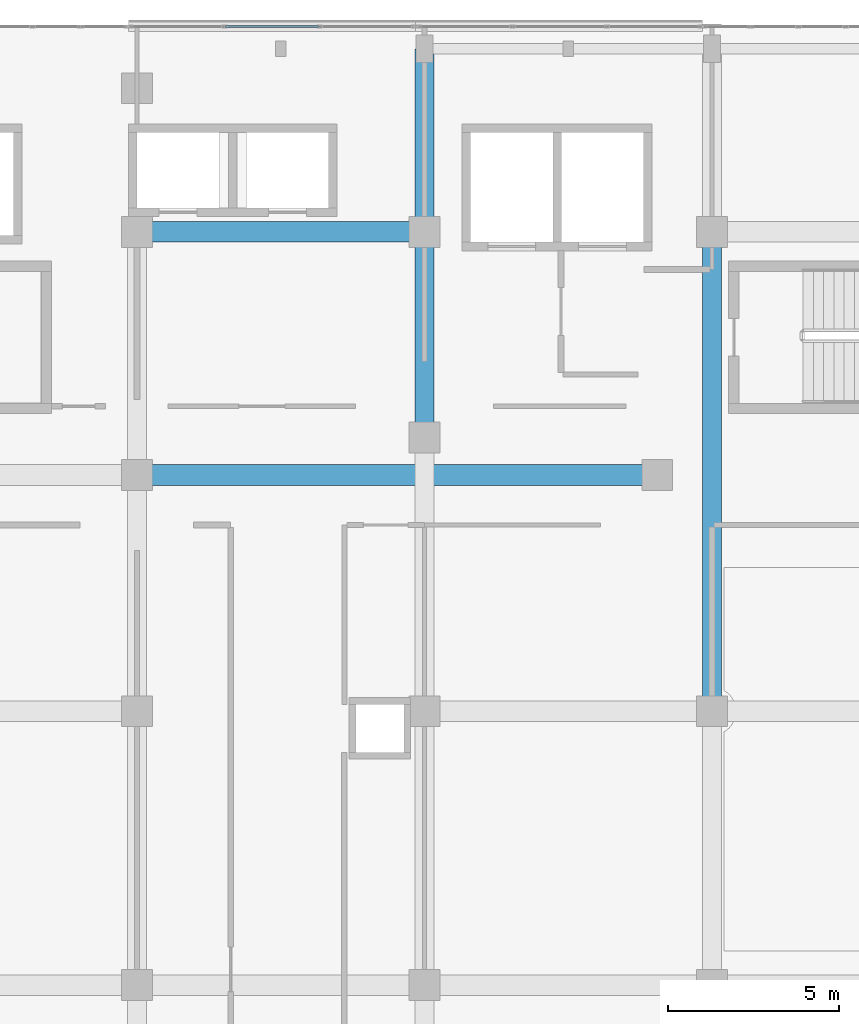
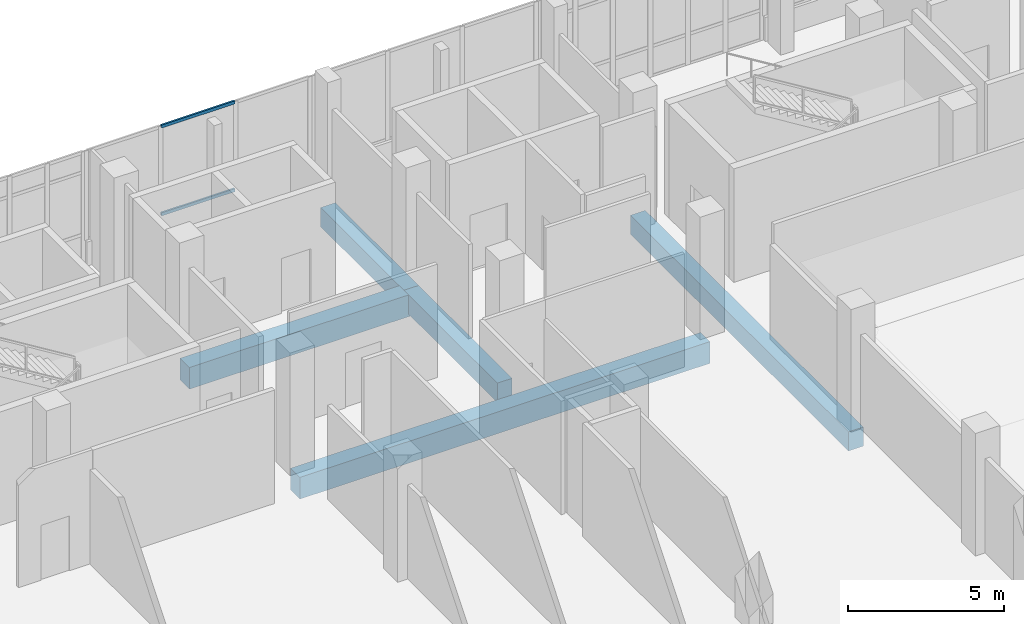
# One storey, part 98 of 168: 5 beams, 2 members, 1 element without a shape of its own.
"""IFC4 building model written with IfcOpenShell, lengths in metres."""

import ifcopenshell
import ifcopenshell.guid

model = None  # the IFC model being written
_history = None  # IfcOwnerHistory: only IFC2X3 demands one
_inside = {}  # id of a spatial element -> (the spatial element, [elements in it])
_under = {}  # id of a project, library or spatial element -> (it, [spatial elements below it])
_declared = {}  # id of a project -> (the project, [libraries it declares])
_typed = {}  # id of a type object -> (the type object, [elements of that type])
_made_of = {}  # id of a material, layer set ... -> (it, [elements and type objects made of it])


def new_model(schema):
    """Start an empty IFC model of exactly this schema.

    Asked for "IFC4X3", IfcOpenShell would pick the latest addendum, in which some entities
    have other attributes; the version numbers below select the first issue.
    IFC2X3 requires an IfcOwnerHistory on every rooted entity: one is made here for all.
    """
    global model, _history
    if schema == "IFC4X3":
        model = ifcopenshell.file(schema_version=(4, 3, 0, 0))
    else:
        model = ifcopenshell.file(schema=schema)
    _inside.clear()
    _under.clear()
    _declared.clear()
    _typed.clear()
    _made_of.clear()
    _history = None
    if model.schema == "IFC2X3":
        org = make("IfcOrganization", Name="unknown")
        user = make(
            "IfcPersonAndOrganization",
            ThePerson=make("IfcPerson", FamilyName="unknown"),
            TheOrganization=org,
        )
        app = make(
            "IfcApplication",
            ApplicationDeveloper=org,
            Version="unknown",
            ApplicationFullName="unknown",
            ApplicationIdentifier="unknown",
        )
        _history = make(
            "IfcOwnerHistory",
            OwningUser=user,
            OwningApplication=app,
            ChangeAction="ADDED",
            CreationDate=0,
        )
    return model


def make(cls, **values):
    """One entity of the class cls with the attributes given. An attribute that is None is left unset."""
    return model.create_entity(
        cls, **{name: value for name, value in values.items() if value is not None}
    )


def rooted(cls, **values):
    """An entity with a GlobalId (a new one), such as an element, a storey or a relation."""
    return make(cls, GlobalId=ifcopenshell.guid.new(), OwnerHistory=_history, **values)


def si_unit(unit_type, name, prefix=None):
    """IfcSIUnit, for example si_unit("LENGTHUNIT", "METRE", prefix="MILLI")."""
    return make("IfcSIUnit", UnitType=unit_type, Prefix=prefix, Name=name)


def assignment(units):
    """IfcUnitAssignment: the units of a project."""
    return None if units is None else make("IfcUnitAssignment", Units=units)


def point(xyz):
    """IfcCartesianPoint."""
    return None if xyz is None else make("IfcCartesianPoint", Coordinates=xyz)


def direction(xyz):
    """IfcDirection."""
    return None if xyz is None else make("IfcDirection", DirectionRatios=xyz)


def frame(location, z_axis=None, x_axis=None):
    """IfcAxis2Placement3D, a coordinate frame: its origin and axes. An axis left out is left unset."""
    return make(
        "IfcAxis2Placement3D",
        Location=point(location),
        Axis=direction(z_axis),
        RefDirection=direction(x_axis),
    )


def frame_2d(location, x_axis=None):
    """IfcAxis2Placement2D, a coordinate frame in the plane: its origin and x axis."""
    return make(
        "IfcAxis2Placement2D", Location=point(location), RefDirection=direction(x_axis)
    )


def origin():
    """The frame at (0, 0, 0) with its axes left unset."""
    return frame((0.0, 0.0, 0.0))


def origin_2d():
    """The frame at (0, 0) in the plane with its x axis left unset."""
    return frame_2d((0.0, 0.0))


def place(relative_to, where):
    """IfcLocalPlacement: puts the frame where relative to a parent placement (None: the world)."""
    return make(
        "IfcLocalPlacement", PlacementRelTo=relative_to, RelativePlacement=where
    )


def context(
    kind, dimensions, precision=None, world=None, true_north=None, identifier=None
):
    """IfcGeometricRepresentationContext, for example the 3D "Model" context."""
    return make(
        "IfcGeometricRepresentationContext",
        ContextIdentifier=identifier,
        ContextType=kind,
        CoordinateSpaceDimension=dimensions,
        Precision=precision,
        WorldCoordinateSystem=world,
        TrueNorth=true_north,
    )


def subcontext(parent, identifier, kind, view, scale=None):
    """IfcGeometricRepresentationSubContext, for example "Body" below "Model"."""
    return make(
        "IfcGeometricRepresentationSubContext",
        ContextIdentifier=identifier,
        ContextType=kind,
        ParentContext=parent,
        TargetScale=scale,
        TargetView=view,
    )


def project(units=None, contexts=None):
    """IfcProject with its units and contexts."""
    return rooted(
        "IfcProject",
        Name="project",
        RepresentationContexts=contexts,
        UnitsInContext=assignment(units),
    )


def spatial(cls, under=None, at=None, **own):
    """A site, building, storey or space (cls), placed at a placement, below another one or the project."""
    s = rooted(cls, ObjectPlacement=at, **own)
    if under is not None:
        _under.setdefault(under.id(), (under, []))[1].append(s)
    return s


def profile(cls, at=None, kind="AREA", **sizes):
    """A parametric profile (cls). Its sizes go by their IFC names, for example OverallWidth=200.0."""
    return make(cls, ProfileType=kind, Position=at, **sizes)


def rectangle(**sizes):
    """IfcRectangleProfileDef."""
    return profile("IfcRectangleProfileDef", **sizes)


def hollow_rectangle(**sizes):
    """IfcRectangleHollowProfileDef."""
    return profile("IfcRectangleHollowProfileDef", **sizes)


def extrude(swept, where, along, depth):
    """IfcExtrudedAreaSolid: the profile swept, set in the frame where, extruded along a direction by depth."""
    return make(
        "IfcExtrudedAreaSolid",
        SweptArea=swept,
        Position=where,
        ExtrudedDirection=direction(along),
        Depth=depth,
    )


def shape(context_of_items, identifier, shape_type, items):
    """IfcShapeRepresentation: the items that make up one representation, for example the "Body"."""
    return make(
        "IfcShapeRepresentation",
        ContextOfItems=context_of_items,
        RepresentationIdentifier=identifier,
        RepresentationType=shape_type,
        Items=items,
    )


def material(Name=None, Category=None):
    """IfcMaterial."""
    return make("IfcMaterial", Name=Name, Category=Category)


def material_profile(
    of_material, cross_section, Name=None, Category=None, Priority=None
):
    """IfcMaterialProfile: a cross section and its material."""
    return make(
        "IfcMaterialProfile",
        Name=Name,
        Material=of_material,
        Profile=cross_section,
        Priority=Priority,
        Category=Category,
    )


def profile_set(profiles, Name=None, composite=None):
    """IfcMaterialProfileSet."""
    return make(
        "IfcMaterialProfileSet",
        Name=Name,
        MaterialProfiles=profiles,
        CompositeProfile=composite,
    )


def made_of(thing, what):
    """Note that an element or type object is made of a material, layer set ...; save() writes the relation."""
    if what is not None:
        _made_of.setdefault(what.id(), (what, []))[1].append(thing)
    return thing


def type_object(cls, material=None, **own):
    """A type object (cls), such as IfcWallType, which elements share."""
    return made_of(rooted(cls, **own), material)


def element(
    cls,
    number,
    at=None,
    inside=None,
    cuts=None,
    type_object=None,
    material=None,
    context=None,
    identifier="Body",
    shape_type=None,
    held_by="IfcProductDefinitionShape",
    body=None,
    shapes=None,
    **own,
):
    """One element of the class cls, such as IfcWall. Its Tag is "e" and its number.

    at: its placement. inside: the storey or other place that contains it. cuts: it is an
    opening in that element (IfcRelVoidsElement). A single representation is given by context,
    identifier, shape_type and body (its items); several are given by shapes. held_by: the class
    of the entity that holds the representations. save() writes the other relations.
    """
    e = rooted(cls, Tag="e%d" % number, ObjectPlacement=at, **own)
    if body is not None:
        shapes = [shape(context, identifier, shape_type, body)]
    if shapes is not None:
        e.Representation = make(held_by, Representations=shapes)
    if inside is not None:
        _inside.setdefault(inside.id(), (inside, []))[1].append(e)
    if cuts is not None:
        rooted(
            "IfcRelVoidsElement", RelatingBuildingElement=cuts, RelatedOpeningElement=e
        )
    if type_object is not None:
        _typed.setdefault(type_object.id(), (type_object, []))[1].append(e)
    return made_of(e, material)


def aggregate(whole, parts):
    """IfcRelAggregates: a whole, such as a stair, and the parts it consists of."""
    return rooted("IfcRelAggregates", RelatingObject=whole, RelatedObjects=parts)


def save(model, path):
    """Write the relations noted so far, then the file.

    IfcRelAggregates (storeys below a building ...), IfcRelContainedInSpatialStructure (elements
    in a storey), IfcRelDefinesByType, IfcRelAssociatesMaterial and IfcRelDeclares: one each for
    every whole, place, type object, material and project.
    """
    for whole, parts in _under.values():
        aggregate(whole, parts)
    for where, things in _inside.values():
        rooted(
            "IfcRelContainedInSpatialStructure",
            RelatedElements=things,
            RelatingStructure=where,
        )
    for kind, things in _typed.values():
        rooted("IfcRelDefinesByType", RelatedObjects=things, RelatingType=kind)
    for what, things in _made_of.values():
        rooted("IfcRelAssociatesMaterial", RelatedObjects=things, RelatingMaterial=what)
    for by, libraries in _declared.values():
        rooted("IfcRelDeclares", RelatingContext=by, RelatedDefinitions=libraries)
    model.write(path)


model = new_model("IFC4")

# Units and contexts
model_context = context("Model", 3, precision=1e-05, world=origin(), true_north=direction((0.0, 1.0)))
body_context = subcontext(model_context, "Body", "Model", "MODEL_VIEW")
ifc_project = project(units=[si_unit("LENGTHUNIT", "METRE"), si_unit("AREAUNIT", "SQUARE_METRE"), si_unit("VOLUMEUNIT", "CUBIC_METRE"), si_unit("PLANEANGLEUNIT", "RADIAN"), si_unit("MASSUNIT", "GRAM", prefix="KILO")], contexts=[model_context])

# Site, building, storey
site_placement = place(None, origin())
site = spatial("IfcSite", under=ifc_project, at=site_placement, CompositionType="ELEMENT")
building_placement = place(site_placement, origin())
building = spatial("IfcBuilding", under=site, at=building_placement, Name="Selatvlak General Hospital", CompositionType="ELEMENT")
storey_placement = place(building_placement, frame((0.0, 0.0, 5.39990234375)))
storey = spatial("IfcBuildingStorey", under=building, at=storey_placement, Name="L01", CompositionType="ELEMENT", Elevation=5.39990234375)

# Beams
ifc_material_1 = material(Name="Concrete C40/50", Category="concrete")
ifc_material_profile_1 = material_profile(ifc_material_1, rectangle(XDim=0.60009765625, YDim=0.85009765625, at=origin_2d()), Name="RC-BM 600x850")
ifc_profile_set_1 = profile_set([ifc_material_profile_1], Name="Concrete C40/50")
beam_type_1 = type_object("IfcBeamType", Name="BM-G01", PredefinedType="BEAM", material=ifc_profile_set_1)
beam_1_placement = place(storey_placement, frame((115.199951171875, 106.89990234375, -0.744873046875), z_axis=(1.0, 0.0, 0.0), x_axis=(0.0, 1.0, 0.0)))
element("IfcBeam", 1, at=beam_1_placement, inside=storey, type_object=beam_type_1, Name="Beam BMR-L01-0496", PredefinedType="BEAM", context=body_context, shape_type="SweptSolid", body=[
    extrude(rectangle(XDim=0.60009765625, YDim=0.85009765625, at=origin_2d()), origin(), (0.0, 0.0, 1.0), 15.199951171875),
])
beam_2_placement = place(storey_placement, frame((115.199951171875, 114.0, -0.744873046875), z_axis=(1.0, 0.0, 0.0), x_axis=(0.0, 1.0, 0.0)))
element("IfcBeam", 2, at=beam_2_placement, inside=storey, type_object=beam_type_1, Name="Beam BMR-L01-0518", PredefinedType="BEAM", context=body_context, shape_type="SweptSolid", body=[
    extrude(rectangle(XDim=0.60009765625, YDim=0.85009765625, at=origin_2d()), origin(), (0.0, 0.0, 1.0), 8.400146484375),
])
ifc_material_profile_2 = material_profile(ifc_material_1, rectangle(XDim=0.550048828125, YDim=0.75, at=origin_2d()), Name="RC-BM 550x750")
ifc_profile_set_2 = profile_set([ifc_material_profile_2], Name="Concrete C40/50")
beam_type_2 = type_object("IfcBeamType", Name="BM-G02", PredefinedType="BEAM", material=ifc_profile_set_2)
beam_3_placement = place(storey_placement, frame((123.60009765625, 108.0, -0.69482421875), z_axis=(0.0, 1.0, 0.0), x_axis=(-1.0, 0.0, 0.0)))
element("IfcBeam", 3, at=beam_3_placement, inside=storey, type_object=beam_type_2, Name="Beam BMR-L01-0630", PredefinedType="BEAM", context=body_context, shape_type="SweptSolid", body=[
    extrude(rectangle(XDim=0.550048828125, YDim=0.75, at=origin_2d()), origin(), (0.0, 0.0, 1.0), 6.0),
])
beam_4_placement = place(storey_placement, frame((123.60009765625, 114.0, -0.69482421875), z_axis=(0.0, 1.0, 0.0), x_axis=(-1.0, 0.0, 0.0)))
element("IfcBeam", 4, at=beam_4_placement, inside=storey, type_object=beam_type_2, Name="Beam BMR-L01-0631", PredefinedType="BEAM", context=body_context, shape_type="SweptSolid", body=[
    extrude(rectangle(XDim=0.550048828125, YDim=0.75, at=origin_2d()), origin(), (0.0, 0.0, 1.0), 5.35009765625),
])
beam_5_placement = place(storey_placement, frame((132.0, 100.0, -0.69482421875), z_axis=(0.0, 1.0, 0.0), x_axis=(-1.0, 0.0, 0.0)))
element("IfcBeam", 5, at=beam_5_placement, inside=storey, type_object=beam_type_2, Name="Beam BMR-L01-0638", PredefinedType="BEAM", context=body_context, shape_type="SweptSolid", body=[
    extrude(rectangle(XDim=0.550048828125, YDim=0.75, at=origin_2d()), origin(), (0.0, 0.0, 1.0), 14.0),
])

# Curtain wall, members
ifc_material_2 = material(Name="Solar-control Low-E double glazing", Category="glass")
curtain_wall_type = type_object("IfcCurtainWallType", Name="CW-CW-01", PredefinedType="USERDEFINED", material=ifc_material_2)
curtain_wall_placement = place(storey_placement, origin())
curtain_wall = element("IfcCurtainWall", 6, at=curtain_wall_placement, inside=storey, type_object=curtain_wall_type, Name="Glazed facade curtain wall CW-L01-0124", ObjectType="UNITISED CURTAIN WALL", PredefinedType="USERDEFINED")
ifc_material_3 = material(Name="Dark anodised aluminium mullion", Category="aluminium")
ifc_material_profile_3 = material_profile(ifc_material_3, hollow_rectangle(XDim=0.06494140625, YDim=0.1201171875, WallThickness=0.00390625, at=origin_2d()), Name="AL-TRN 65x120x4")
ifc_profile_set_3 = profile_set([ifc_material_profile_3], Name="Dark anodised aluminium mullion")
member_type = type_object("IfcMemberType", Name="CWT-01", PredefinedType="USERDEFINED", material=ifc_profile_set_3)
member_1_placement = place(storey_placement, frame((117.789794921875, 120.0, 0.97265625), z_axis=(1.0, 0.0, 0.0), x_axis=(0.0, 1.0, 0.0)))
member_1 = element("IfcMember", 7, at=member_1_placement, type_object=member_type, Name="CW-01 transom 2.1", ObjectType="TRANSOM", PredefinedType="USERDEFINED", context=body_context, shape_type="SweptSolid", body=[
    extrude(hollow_rectangle(XDim=0.06494140625, YDim=0.1201171875, WallThickness=0.00390625, at=origin_2d()), origin(), (0.0, 0.0, 1.0), 2.71826171875),
])
member_2_placement = place(storey_placement, frame((117.789794921875, 120.0, 4.41259765625), z_axis=(1.0, 0.0, 0.0), x_axis=(0.0, 1.0, 0.0)))
member_2 = element("IfcMember", 8, at=member_2_placement, type_object=member_type, Name="CW-01 transom 2.2", ObjectType="TRANSOM", PredefinedType="USERDEFINED", context=body_context, shape_type="SweptSolid", body=[
    extrude(hollow_rectangle(XDim=0.06494140625, YDim=0.1201171875, WallThickness=0.00390625, at=origin_2d()), origin(), (0.0, 0.0, 1.0), 2.71826171875),
])
aggregate(curtain_wall, [member_1, member_2])

save(model, "model.ifc")
